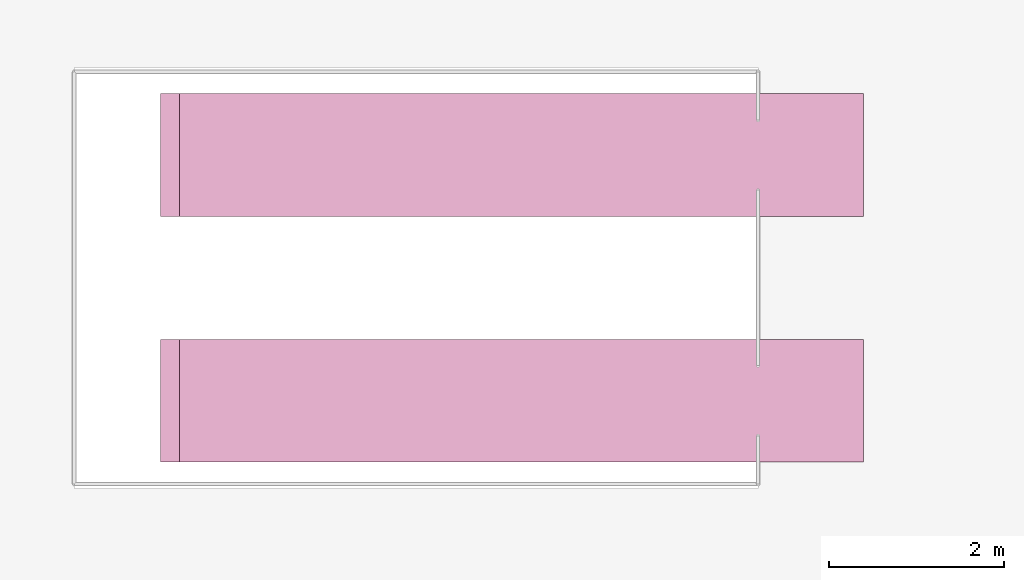
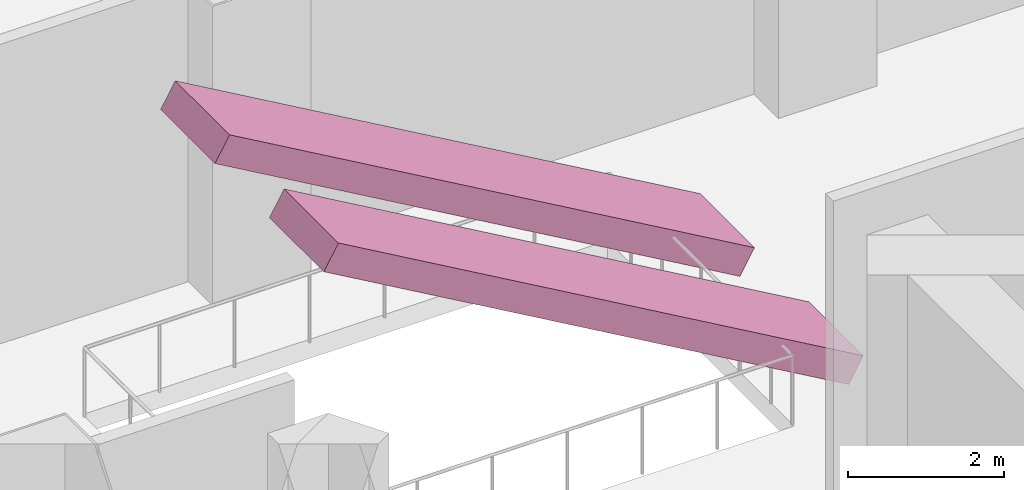
# One storey, part 18 of 18: 2 transport elements.
"""IFC4 building model written with IfcOpenShell, lengths in metres."""

from ifc_helpers import new_model, si_unit, direction, frame, origin, place, context, subcontext, project, spatial, polyline, outline, extrude, material, type_object, element, save


model = new_model("IFC4")

# Units and contexts
model_context = context("Model", 3, precision=1e-05, world=origin(), true_north=direction((0.0, 1.0)))
body_context = subcontext(model_context, "Body", "Model", "MODEL_VIEW")
ifc_project = project(units=[si_unit("LENGTHUNIT", "METRE"), si_unit("AREAUNIT", "SQUARE_METRE"), si_unit("VOLUMEUNIT", "CUBIC_METRE"), si_unit("PLANEANGLEUNIT", "RADIAN"), si_unit("MASSUNIT", "GRAM", prefix="KILO")], contexts=[model_context])

# Site, building, storey
site_placement = place(None, origin())
site = spatial("IfcSite", under=ifc_project, at=site_placement, CompositionType="ELEMENT")
building_placement = place(site_placement, origin())
building = spatial("IfcBuilding", under=site, at=building_placement, Name="Cantera Rosa Tower", CompositionType="ELEMENT")
storey_placement = place(building_placement, frame((0.0, 0.0, 17.0)))
storey = spatial("IfcBuildingStorey", under=building, at=storey_placement, Name="L02", CompositionType="ELEMENT", Elevation=17.0)

# Transport elements
ifc_material = material(Name="Stainless steel", Category="steel")
transport_element_type = type_object("IfcTransportElementType", Name="Escalator 1400", PredefinedType="ESCALATOR", material=ifc_material)
for number, where, z_axis, x_axis, name in (
    (1, (5.60009765625, 14.5, 0.5), (0.5000018851, 0.0, 0.866024315419), (-0.866024315419, 0.0, 0.5000018851), "Escalator B up"),
    (2, (5.60009765625, 17.300048828125, 0.5), (0.5000018851, 0.0, 0.866024315419), (-0.866024315419, 0.0, 0.5000018851), "Escalator B down"),
):
    element("IfcTransportElement", number, at=place(storey_placement, frame(where, z_axis=z_axis, x_axis=x_axis)), inside=storey, type_object=transport_element_type, Name=name, PredefinedType="ESCALATOR", context=body_context, shape_type="SweptSolid", body=[
        extrude(outline(polyline([(0.0, 0.0), (8.999966068336313, 0.0), (8.999966068336313, -1.39990234375), (0.0, -1.39990234375), (0.0, 0.0)])), origin(), (0.0, 0.0, -1.0), 0.43310546875),
    ])

save(model, "model.ifc")
